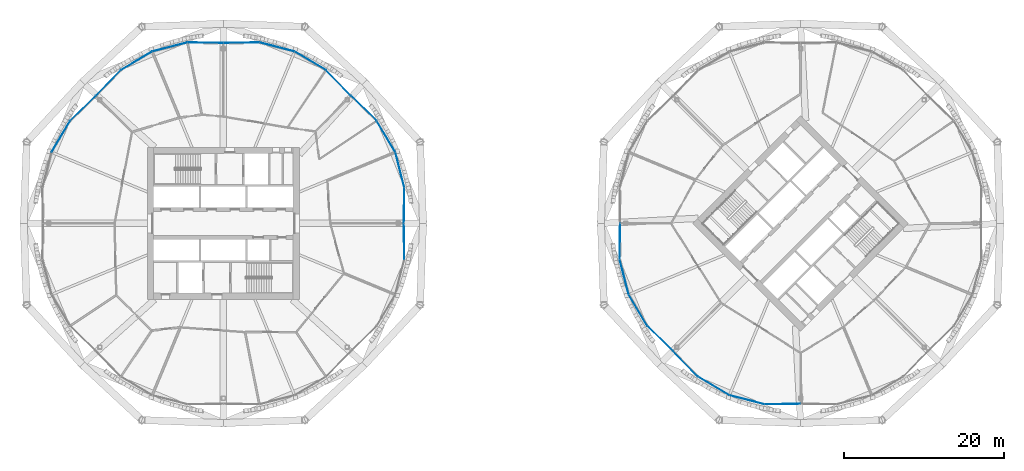
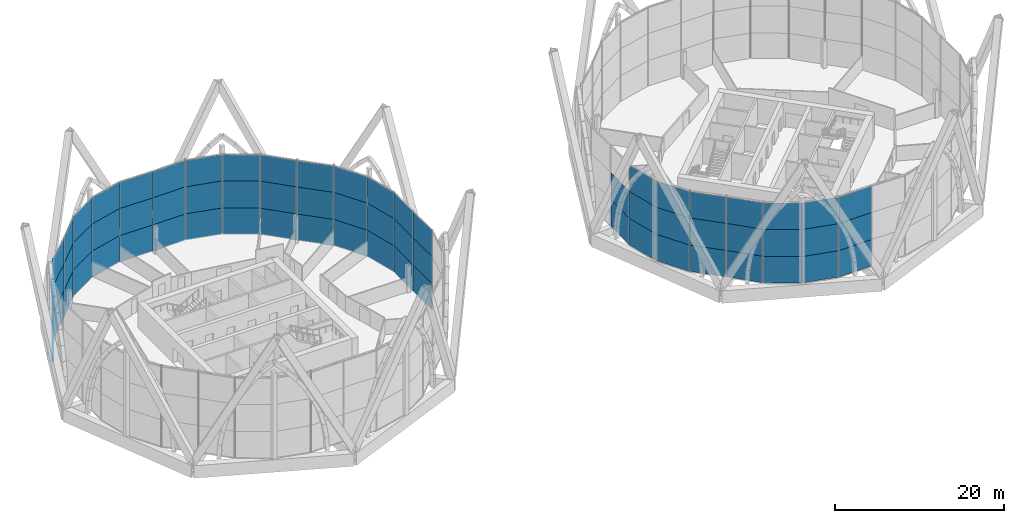
# One storey, part 25 of 37: 68 plates, 7 elements without a shape of their own.
"""IFC4 building model written with IfcOpenShell, lengths in metres."""

from ifc_helpers import new_model, si_unit, direction, frame, origin, origin_2d, place, context, subcontext, project, spatial, rectangle, extrude, material, layer, layer_set, type_object, element, aggregate, save


model = new_model("IFC4")

# Units and contexts
model_context = context("Model", 3, precision=1e-05, world=origin(), true_north=direction((0.0, 1.0)))
body_context = subcontext(model_context, "Body", "Model", "MODEL_VIEW")
ifc_project = project(units=[si_unit("LENGTHUNIT", "METRE"), si_unit("AREAUNIT", "SQUARE_METRE"), si_unit("VOLUMEUNIT", "CUBIC_METRE"), si_unit("PLANEANGLEUNIT", "RADIAN"), si_unit("MASSUNIT", "GRAM", prefix="KILO")], contexts=[model_context])

# Site, building, storey
site_placement = place(None, origin())
site = spatial("IfcSite", under=ifc_project, at=site_placement, CompositionType="ELEMENT")
building_placement = place(site_placement, origin())
building = spatial("IfcBuilding", under=site, at=building_placement, Name="Ogive Gate Towers", CompositionType="ELEMENT")
storey_placement = place(building_placement, frame((0.0, 0.0, 32.39990234375)))
storey = spatial("IfcBuildingStorey", under=building, at=storey_placement, Name="L06", CompositionType="ELEMENT", Elevation=32.39990234375)

# Curtain wall, plates
ifc_material_1 = material(Name="Pale metal aluminium", Category="aluminium")
curtain_wall_type = type_object("IfcCurtainWallType", Name="Tower unitised wall, low zone", PredefinedType="NOTDEFINED", material=ifc_material_1)
curtain_wall_1_placement = place(storey_placement, origin())
curtain_wall_1 = element("IfcCurtainWall", 1, at=curtain_wall_1_placement, inside=storey, type_object=curtain_wall_type, Name="CW1 T1 ECW01", PredefinedType="NOTDEFINED")
ifc_material_2 = material(Name="Clear glass", Category="glass")
ifc_layer = layer(ifc_material_2, 0.028076171875)
ifc_layer_set = layer_set([ifc_layer], Name="Tower unitised wall, low zone glass panel")
plate_type = type_object("IfcPlateType", Name="Tower unitised wall, low zone glass panel", PredefinedType="CURTAIN_PANEL", material=ifc_layer_set)
plate_1_placement = place(storey_placement, frame((-13.4599609375, 2.23876953125, -0.2041015625), z_axis=(0.0, 0.0, 1.0), x_axis=(0.013386275544, 0.999910399799, 0.0)))
plate_1 = element("IfcPlate", 2, at=plate_1_placement, type_object=plate_type, Name="CW1 glass panel", PredefinedType="CURTAIN_PANEL", context=body_context, shape_type="SweptSolid", body=[
    extrude(rectangle(XDim=4.423828125, YDim=0.028076171875, at=origin_2d()), origin(), (0.0, 0.0, 1.0), 3.803955078125),
])
plate_2_placement = place(storey_placement, frame((-13.4599609375, 2.23876953125, 3.60009765625), z_axis=(0.0, 0.0, 1.0), x_axis=(0.013386275544, 0.999910399799, 0.0)))
plate_2 = element("IfcPlate", 3, at=plate_2_placement, type_object=plate_type, Name="CW1 glass panel", PredefinedType="CURTAIN_PANEL", context=body_context, shape_type="SweptSolid", body=[
    extrude(rectangle(XDim=4.423828125, YDim=0.028076171875, at=origin_2d()), origin(), (0.0, 0.0, 1.0), 3.89990234375),
])
plate_3_placement = place(storey_placement, frame((-13.4599609375, 2.23876953125, 7.5), z_axis=(0.0, 0.0, 1.0), x_axis=(0.013386275544, 0.999910399799, 0.0)))
plate_3 = element("IfcPlate", 4, at=plate_3_placement, type_object=plate_type, Name="CW1 glass panel", PredefinedType="CURTAIN_PANEL", context=body_context, shape_type="SweptSolid", body=[
    extrude(rectangle(XDim=4.423828125, YDim=0.028076171875, at=origin_2d()), origin(), (0.0, 0.0, 1.0), 3.803955078125),
])
plate_4_placement = place(storey_placement, frame((-13.992919921875, 6.681884765625, -0.2041015625), z_axis=(0.0, 0.0, 1.0), x_axis=(-0.247827635532, 0.968804140715, 0.0)))
plate_4 = element("IfcPlate", 5, at=plate_4_placement, type_object=plate_type, Name="CW1 glass panel", PredefinedType="CURTAIN_PANEL", context=body_context, shape_type="SweptSolid", body=[
    extrude(rectangle(XDim=4.48095703125, YDim=0.028076171875, at=origin_2d()), origin(), (0.0, 0.0, 1.0), 3.803955078125),
])
plate_5_placement = place(storey_placement, frame((-13.992919921875, 6.681884765625, 3.60009765625), z_axis=(0.0, 0.0, 1.0), x_axis=(-0.247827635532, 0.968804140715, 0.0)))
plate_5 = element("IfcPlate", 6, at=plate_5_placement, type_object=plate_type, Name="CW1 glass panel", PredefinedType="CURTAIN_PANEL", context=body_context, shape_type="SweptSolid", body=[
    extrude(rectangle(XDim=4.48095703125, YDim=0.028076171875, at=origin_2d()), origin(), (0.0, 0.0, 1.0), 3.89990234375),
])
plate_6_placement = place(storey_placement, frame((-13.992919921875, 6.681884765625, 7.5), z_axis=(0.0, 0.0, 1.0), x_axis=(-0.247827635532, 0.968804140715, 0.0)))
plate_6 = element("IfcPlate", 7, at=plate_6_placement, type_object=plate_type, Name="CW1 glass panel", PredefinedType="CURTAIN_PANEL", context=body_context, shape_type="SweptSolid", body=[
    extrude(rectangle(XDim=4.48095703125, YDim=0.028076171875, at=origin_2d()), origin(), (0.0, 0.0, 1.0), 3.803955078125),
])
plate_7_placement = place(storey_placement, frame((-15.7138671875, 10.836669921875, -0.2041015625), z_axis=(0.0, 0.0, 1.0), x_axis=(-0.509822390682, 0.860279681243, 0.0)))
plate_7 = element("IfcPlate", 8, at=plate_7_placement, type_object=plate_type, Name="CW1 glass panel", PredefinedType="CURTAIN_PANEL", context=body_context, shape_type="SweptSolid", body=[
    extrude(rectangle(XDim=4.48095703125, YDim=0.028076171875, at=origin_2d()), origin(), (0.0, 0.0, 1.0), 3.803955078125),
])
plate_8_placement = place(storey_placement, frame((-15.7138671875, 10.836669921875, 3.60009765625), z_axis=(0.0, 0.0, 1.0), x_axis=(-0.509822390682, 0.860279681243, 0.0)))
plate_8 = element("IfcPlate", 9, at=plate_8_placement, type_object=plate_type, Name="CW1 glass panel", PredefinedType="CURTAIN_PANEL", context=body_context, shape_type="SweptSolid", body=[
    extrude(rectangle(XDim=4.48095703125, YDim=0.028076171875, at=origin_2d()), origin(), (0.0, 0.0, 1.0), 3.89990234375),
])
plate_9_placement = place(storey_placement, frame((-15.7138671875, 10.836669921875, 7.5), z_axis=(0.0, 0.0, 1.0), x_axis=(-0.509822390682, 0.860279681243, 0.0)))
plate_9 = element("IfcPlate", 10, at=plate_9_placement, type_object=plate_type, Name="CW1 glass panel", PredefinedType="CURTAIN_PANEL", context=body_context, shape_type="SweptSolid", body=[
    extrude(rectangle(XDim=4.48095703125, YDim=0.028076171875, at=origin_2d()), origin(), (0.0, 0.0, 1.0), 3.803955078125),
])
plate_10_placement = place(storey_placement, frame((-18.478759765625, 14.35498046875, -0.2041015625), z_axis=(0.0, 0.0, 1.0), x_axis=(-0.716496775349, 0.697590403399, 0.0)))
plate_10 = element("IfcPlate", 11, at=plate_10_placement, type_object=plate_type, Name="CW1 glass panel", PredefinedType="CURTAIN_PANEL", context=body_context, shape_type="SweptSolid", body=[
    extrude(rectangle(XDim=4.424072265625, YDim=0.028076171875, at=origin_2d()), origin(), (0.0, 0.0, 1.0), 3.803955078125),
])
plate_11_placement = place(storey_placement, frame((-18.478759765625, 14.35498046875, 3.60009765625), z_axis=(0.0, 0.0, 1.0), x_axis=(-0.716496775349, 0.697590403399, 0.0)))
plate_11 = element("IfcPlate", 12, at=plate_11_placement, type_object=plate_type, Name="CW1 glass panel", PredefinedType="CURTAIN_PANEL", context=body_context, shape_type="SweptSolid", body=[
    extrude(rectangle(XDim=4.424072265625, YDim=0.028076171875, at=origin_2d()), origin(), (0.0, 0.0, 1.0), 3.89990234375),
])
plate_12_placement = place(storey_placement, frame((-18.478759765625, 14.35498046875, 7.5), z_axis=(0.0, 0.0, 1.0), x_axis=(-0.716496775349, 0.697590403399, 0.0)))
plate_12 = element("IfcPlate", 13, at=plate_12_placement, type_object=plate_type, Name="CW1 glass panel", PredefinedType="CURTAIN_PANEL", context=body_context, shape_type="SweptSolid", body=[
    extrude(rectangle(XDim=4.424072265625, YDim=0.028076171875, at=origin_2d()), origin(), (0.0, 0.0, 1.0), 3.803955078125),
])
aggregate(curtain_wall_1, [plate_1, plate_2, plate_3, plate_4, plate_5, plate_6, plate_7, plate_8, plate_9, plate_10, plate_11, plate_12])

curtain_wall_2_placement = place(storey_placement, origin())
curtain_wall_2 = element("IfcCurtainWall", 14, at=curtain_wall_2_placement, inside=storey, type_object=curtain_wall_type, Name="CW1 T1 ECW02", PredefinedType="NOTDEFINED")
plate_13_placement = place(storey_placement, frame((-21.64501953125, 17.521240234375, -0.2041015625), z_axis=(0.0, 0.0, 1.0), x_axis=(-0.697590403399, 0.716496775349, 0.0)))
plate_13 = element("IfcPlate", 15, at=plate_13_placement, type_object=plate_type, Name="CW1 glass panel", PredefinedType="CURTAIN_PANEL", context=body_context, shape_type="SweptSolid", body=[
    extrude(rectangle(XDim=4.424072265625, YDim=0.028076171875, at=origin_2d()), origin(), (0.0, 0.0, 1.0), 3.803955078125),
])
plate_14_placement = place(storey_placement, frame((-21.64501953125, 17.521240234375, 3.60009765625), z_axis=(0.0, 0.0, 1.0), x_axis=(-0.697590403399, 0.716496775349, 0.0)))
plate_14 = element("IfcPlate", 16, at=plate_14_placement, type_object=plate_type, Name="CW1 glass panel", PredefinedType="CURTAIN_PANEL", context=body_context, shape_type="SweptSolid", body=[
    extrude(rectangle(XDim=4.424072265625, YDim=0.028076171875, at=origin_2d()), origin(), (0.0, 0.0, 1.0), 3.89990234375),
])
plate_15_placement = place(storey_placement, frame((-21.64501953125, 17.521240234375, 7.5), z_axis=(0.0, 0.0, 1.0), x_axis=(-0.697590403399, 0.716496775349, 0.0)))
plate_15 = element("IfcPlate", 17, at=plate_15_placement, type_object=plate_type, Name="CW1 glass panel", PredefinedType="CURTAIN_PANEL", context=body_context, shape_type="SweptSolid", body=[
    extrude(rectangle(XDim=4.424072265625, YDim=0.028076171875, at=origin_2d()), origin(), (0.0, 0.0, 1.0), 3.803955078125),
])
plate_16_placement = place(storey_placement, frame((-25.163330078125, 20.2861328125, -0.2041015625), z_axis=(0.0, 0.0, 1.0), x_axis=(-0.860279681243, 0.509822390682, 0.0)))
plate_16 = element("IfcPlate", 18, at=plate_16_placement, type_object=plate_type, Name="CW1 glass panel", PredefinedType="CURTAIN_PANEL", context=body_context, shape_type="SweptSolid", body=[
    extrude(rectangle(XDim=4.48095703125, YDim=0.028076171875, at=origin_2d()), origin(), (0.0, 0.0, 1.0), 3.803955078125),
])
plate_17_placement = place(storey_placement, frame((-25.163330078125, 20.2861328125, 3.60009765625), z_axis=(0.0, 0.0, 1.0), x_axis=(-0.860279681243, 0.509822390682, 0.0)))
plate_17 = element("IfcPlate", 19, at=plate_17_placement, type_object=plate_type, Name="CW1 glass panel", PredefinedType="CURTAIN_PANEL", context=body_context, shape_type="SweptSolid", body=[
    extrude(rectangle(XDim=4.48095703125, YDim=0.028076171875, at=origin_2d()), origin(), (0.0, 0.0, 1.0), 3.89990234375),
])
plate_18_placement = place(storey_placement, frame((-25.163330078125, 20.2861328125, 7.5), z_axis=(0.0, 0.0, 1.0), x_axis=(-0.860279681243, 0.509822390682, 0.0)))
plate_18 = element("IfcPlate", 20, at=plate_18_placement, type_object=plate_type, Name="CW1 glass panel", PredefinedType="CURTAIN_PANEL", context=body_context, shape_type="SweptSolid", body=[
    extrude(rectangle(XDim=4.48095703125, YDim=0.028076171875, at=origin_2d()), origin(), (0.0, 0.0, 1.0), 3.803955078125),
])
plate_19_placement = place(storey_placement, frame((-29.318115234375, 22.007080078125, -0.2041015625), z_axis=(0.0, 0.0, 1.0), x_axis=(-0.968804140715, 0.247827635532, 0.0)))
plate_19 = element("IfcPlate", 21, at=plate_19_placement, type_object=plate_type, Name="CW1 glass panel", PredefinedType="CURTAIN_PANEL", context=body_context, shape_type="SweptSolid", body=[
    extrude(rectangle(XDim=4.48095703125, YDim=0.028076171875, at=origin_2d()), origin(), (0.0, 0.0, 1.0), 3.803955078125),
])
plate_20_placement = place(storey_placement, frame((-29.318115234375, 22.007080078125, 3.60009765625), z_axis=(0.0, 0.0, 1.0), x_axis=(-0.968804140715, 0.247827635532, 0.0)))
plate_20 = element("IfcPlate", 22, at=plate_20_placement, type_object=plate_type, Name="CW1 glass panel", PredefinedType="CURTAIN_PANEL", context=body_context, shape_type="SweptSolid", body=[
    extrude(rectangle(XDim=4.48095703125, YDim=0.028076171875, at=origin_2d()), origin(), (0.0, 0.0, 1.0), 3.89990234375),
])
plate_21_placement = place(storey_placement, frame((-29.318115234375, 22.007080078125, 7.5), z_axis=(0.0, 0.0, 1.0), x_axis=(-0.968804140715, 0.247827635532, 0.0)))
plate_21 = element("IfcPlate", 23, at=plate_21_placement, type_object=plate_type, Name="CW1 glass panel", PredefinedType="CURTAIN_PANEL", context=body_context, shape_type="SweptSolid", body=[
    extrude(rectangle(XDim=4.48095703125, YDim=0.028076171875, at=origin_2d()), origin(), (0.0, 0.0, 1.0), 3.803955078125),
])
plate_22_placement = place(storey_placement, frame((-33.76123046875, 22.5400390625, -0.2041015625), z_axis=(0.0, 0.0, 1.0), x_axis=(-0.999910399799, -0.013386275544, 0.0)))
plate_22 = element("IfcPlate", 24, at=plate_22_placement, type_object=plate_type, Name="CW1 glass panel", PredefinedType="CURTAIN_PANEL", context=body_context, shape_type="SweptSolid", body=[
    extrude(rectangle(XDim=4.423828125, YDim=0.028076171875, at=origin_2d()), origin(), (0.0, 0.0, 1.0), 3.803955078125),
])
plate_23_placement = place(storey_placement, frame((-33.76123046875, 22.5400390625, 3.60009765625), z_axis=(0.0, 0.0, 1.0), x_axis=(-0.999910399799, -0.013386275544, 0.0)))
plate_23 = element("IfcPlate", 25, at=plate_23_placement, type_object=plate_type, Name="CW1 glass panel", PredefinedType="CURTAIN_PANEL", context=body_context, shape_type="SweptSolid", body=[
    extrude(rectangle(XDim=4.423828125, YDim=0.028076171875, at=origin_2d()), origin(), (0.0, 0.0, 1.0), 3.89990234375),
])
plate_24_placement = place(storey_placement, frame((-33.76123046875, 22.5400390625, 7.5), z_axis=(0.0, 0.0, 1.0), x_axis=(-0.999910399799, -0.013386275544, 0.0)))
plate_24 = element("IfcPlate", 26, at=plate_24_placement, type_object=plate_type, Name="CW1 glass panel", PredefinedType="CURTAIN_PANEL", context=body_context, shape_type="SweptSolid", body=[
    extrude(rectangle(XDim=4.423828125, YDim=0.028076171875, at=origin_2d()), origin(), (0.0, 0.0, 1.0), 3.803955078125),
])
aggregate(curtain_wall_2, [plate_13, plate_14, plate_15, plate_16, plate_17, plate_18, plate_19, plate_20, plate_21, plate_22, plate_23, plate_24])

curtain_wall_3_placement = place(storey_placement, origin())
curtain_wall_3 = element("IfcCurtainWall", 27, at=curtain_wall_3_placement, inside=storey, type_object=curtain_wall_type, Name="CW1 T1 ECW03", PredefinedType="NOTDEFINED")
plate_25_placement = place(storey_placement, frame((-38.23876953125, 22.5400390625, -0.2041015625), z_axis=(0.0, 0.0, 1.0), x_axis=(-0.999910399799, 0.013386275544, 0.0)))
plate_25 = element("IfcPlate", 28, at=plate_25_placement, type_object=plate_type, Name="CW1 glass panel", PredefinedType="CURTAIN_PANEL", context=body_context, shape_type="SweptSolid", body=[
    extrude(rectangle(XDim=4.423828125, YDim=0.028076171875, at=origin_2d()), origin(), (0.0, 0.0, 1.0), 3.803955078125),
])
plate_26_placement = place(storey_placement, frame((-38.23876953125, 22.5400390625, 3.60009765625), z_axis=(0.0, 0.0, 1.0), x_axis=(-0.999910399799, 0.013386275544, 0.0)))
plate_26 = element("IfcPlate", 29, at=plate_26_placement, type_object=plate_type, Name="CW1 glass panel", PredefinedType="CURTAIN_PANEL", context=body_context, shape_type="SweptSolid", body=[
    extrude(rectangle(XDim=4.423828125, YDim=0.028076171875, at=origin_2d()), origin(), (0.0, 0.0, 1.0), 3.89990234375),
])
plate_27_placement = place(storey_placement, frame((-38.23876953125, 22.5400390625, 7.5), z_axis=(0.0, 0.0, 1.0), x_axis=(-0.999910399799, 0.013386275544, 0.0)))
plate_27 = element("IfcPlate", 30, at=plate_27_placement, type_object=plate_type, Name="CW1 glass panel", PredefinedType="CURTAIN_PANEL", context=body_context, shape_type="SweptSolid", body=[
    extrude(rectangle(XDim=4.423828125, YDim=0.028076171875, at=origin_2d()), origin(), (0.0, 0.0, 1.0), 3.803955078125),
])
plate_28_placement = place(storey_placement, frame((-42.681884765625, 22.007080078125, -0.2041015625), z_axis=(0.0, 0.0, 1.0), x_axis=(-0.968804140715, -0.247827635532, 0.0)))
plate_28 = element("IfcPlate", 31, at=plate_28_placement, type_object=plate_type, Name="CW1 glass panel", PredefinedType="CURTAIN_PANEL", context=body_context, shape_type="SweptSolid", body=[
    extrude(rectangle(XDim=4.48095703125, YDim=0.028076171875, at=origin_2d()), origin(), (0.0, 0.0, 1.0), 3.803955078125),
])
plate_29_placement = place(storey_placement, frame((-42.681884765625, 22.007080078125, 3.60009765625), z_axis=(0.0, 0.0, 1.0), x_axis=(-0.968804140715, -0.247827635532, 0.0)))
plate_29 = element("IfcPlate", 32, at=plate_29_placement, type_object=plate_type, Name="CW1 glass panel", PredefinedType="CURTAIN_PANEL", context=body_context, shape_type="SweptSolid", body=[
    extrude(rectangle(XDim=4.48095703125, YDim=0.028076171875, at=origin_2d()), origin(), (0.0, 0.0, 1.0), 3.89990234375),
])
plate_30_placement = place(storey_placement, frame((-42.681884765625, 22.007080078125, 7.5), z_axis=(0.0, 0.0, 1.0), x_axis=(-0.968804140715, -0.247827635532, 0.0)))
plate_30 = element("IfcPlate", 33, at=plate_30_placement, type_object=plate_type, Name="CW1 glass panel", PredefinedType="CURTAIN_PANEL", context=body_context, shape_type="SweptSolid", body=[
    extrude(rectangle(XDim=4.48095703125, YDim=0.028076171875, at=origin_2d()), origin(), (0.0, 0.0, 1.0), 3.803955078125),
])
plate_31_placement = place(storey_placement, frame((-46.836669921875, 20.2861328125, -0.2041015625), z_axis=(0.0, 0.0, 1.0), x_axis=(-0.860279681243, -0.509822390682, 0.0)))
plate_31 = element("IfcPlate", 34, at=plate_31_placement, type_object=plate_type, Name="CW1 glass panel", PredefinedType="CURTAIN_PANEL", context=body_context, shape_type="SweptSolid", body=[
    extrude(rectangle(XDim=4.48095703125, YDim=0.028076171875, at=origin_2d()), origin(), (0.0, 0.0, 1.0), 3.803955078125),
])
plate_32_placement = place(storey_placement, frame((-46.836669921875, 20.2861328125, 3.60009765625), z_axis=(0.0, 0.0, 1.0), x_axis=(-0.860279681243, -0.509822390682, 0.0)))
plate_32 = element("IfcPlate", 35, at=plate_32_placement, type_object=plate_type, Name="CW1 glass panel", PredefinedType="CURTAIN_PANEL", context=body_context, shape_type="SweptSolid", body=[
    extrude(rectangle(XDim=4.48095703125, YDim=0.028076171875, at=origin_2d()), origin(), (0.0, 0.0, 1.0), 3.89990234375),
])
plate_33_placement = place(storey_placement, frame((-46.836669921875, 20.2861328125, 7.5), z_axis=(0.0, 0.0, 1.0), x_axis=(-0.860279681243, -0.509822390682, 0.0)))
plate_33 = element("IfcPlate", 36, at=plate_33_placement, type_object=plate_type, Name="CW1 glass panel", PredefinedType="CURTAIN_PANEL", context=body_context, shape_type="SweptSolid", body=[
    extrude(rectangle(XDim=4.48095703125, YDim=0.028076171875, at=origin_2d()), origin(), (0.0, 0.0, 1.0), 3.803955078125),
])
plate_34_placement = place(storey_placement, frame((-50.35498046875, 17.521240234375, -0.2041015625), z_axis=(0.0, 0.0, 1.0), x_axis=(-0.697590403399, -0.716496775349, 0.0)))
plate_34 = element("IfcPlate", 37, at=plate_34_placement, type_object=plate_type, Name="CW1 glass panel", PredefinedType="CURTAIN_PANEL", context=body_context, shape_type="SweptSolid", body=[
    extrude(rectangle(XDim=4.424072265625, YDim=0.028076171875, at=origin_2d()), origin(), (0.0, 0.0, 1.0), 3.803955078125),
])
plate_35_placement = place(storey_placement, frame((-50.35498046875, 17.521240234375, 3.60009765625), z_axis=(0.0, 0.0, 1.0), x_axis=(-0.697590403399, -0.716496775349, 0.0)))
plate_35 = element("IfcPlate", 38, at=plate_35_placement, type_object=plate_type, Name="CW1 glass panel", PredefinedType="CURTAIN_PANEL", context=body_context, shape_type="SweptSolid", body=[
    extrude(rectangle(XDim=4.424072265625, YDim=0.028076171875, at=origin_2d()), origin(), (0.0, 0.0, 1.0), 3.89990234375),
])
plate_36_placement = place(storey_placement, frame((-50.35498046875, 17.521240234375, 7.5), z_axis=(0.0, 0.0, 1.0), x_axis=(-0.697590403399, -0.716496775349, 0.0)))
plate_36 = element("IfcPlate", 39, at=plate_36_placement, type_object=plate_type, Name="CW1 glass panel", PredefinedType="CURTAIN_PANEL", context=body_context, shape_type="SweptSolid", body=[
    extrude(rectangle(XDim=4.424072265625, YDim=0.028076171875, at=origin_2d()), origin(), (0.0, 0.0, 1.0), 3.803955078125),
])
aggregate(curtain_wall_3, [plate_25, plate_26, plate_27, plate_28, plate_29, plate_30, plate_31, plate_32, plate_33, plate_34, plate_35, plate_36])

curtain_wall_4_placement = place(storey_placement, origin())
curtain_wall_4 = element("IfcCurtainWall", 40, at=curtain_wall_4_placement, inside=storey, type_object=curtain_wall_type, Name="CW1 T1 ECW04", PredefinedType="NOTDEFINED")
plate_37_placement = place(storey_placement, frame((-53.521240234375, 14.35498046875, -0.2041015625), z_axis=(0.0, 0.0, 1.0), x_axis=(-0.716496775349, -0.697590403399, 0.0)))
plate_37 = element("IfcPlate", 41, at=plate_37_placement, type_object=plate_type, Name="CW1 glass panel", PredefinedType="CURTAIN_PANEL", context=body_context, shape_type="SweptSolid", body=[
    extrude(rectangle(XDim=4.424072265625, YDim=0.028076171875, at=origin_2d()), origin(), (0.0, 0.0, 1.0), 3.803955078125),
])
plate_38_placement = place(storey_placement, frame((-53.521240234375, 14.35498046875, 3.60009765625), z_axis=(0.0, 0.0, 1.0), x_axis=(-0.716496775349, -0.697590403399, 0.0)))
plate_38 = element("IfcPlate", 42, at=plate_38_placement, type_object=plate_type, Name="CW1 glass panel", PredefinedType="CURTAIN_PANEL", context=body_context, shape_type="SweptSolid", body=[
    extrude(rectangle(XDim=4.424072265625, YDim=0.028076171875, at=origin_2d()), origin(), (0.0, 0.0, 1.0), 3.89990234375),
])
plate_39_placement = place(storey_placement, frame((-53.521240234375, 14.35498046875, 7.5), z_axis=(0.0, 0.0, 1.0), x_axis=(-0.716496775349, -0.697590403399, 0.0)))
plate_39 = element("IfcPlate", 43, at=plate_39_placement, type_object=plate_type, Name="CW1 glass panel", PredefinedType="CURTAIN_PANEL", context=body_context, shape_type="SweptSolid", body=[
    extrude(rectangle(XDim=4.424072265625, YDim=0.028076171875, at=origin_2d()), origin(), (0.0, 0.0, 1.0), 3.803955078125),
])
plate_40_placement = place(storey_placement, frame((-56.2861328125, 10.836669921875, -0.2041015625), z_axis=(0.0, 0.0, 1.0), x_axis=(-0.509822390682, -0.860279681243, 0.0)))
plate_40 = element("IfcPlate", 44, at=plate_40_placement, type_object=plate_type, Name="CW1 glass panel", PredefinedType="CURTAIN_PANEL", context=body_context, shape_type="SweptSolid", body=[
    extrude(rectangle(XDim=4.48095703125, YDim=0.028076171875, at=origin_2d()), origin(), (0.0, 0.0, 1.0), 3.803955078125),
])
plate_41_placement = place(storey_placement, frame((-56.2861328125, 10.836669921875, 3.60009765625), z_axis=(0.0, 0.0, 1.0), x_axis=(-0.509822390682, -0.860279681243, 0.0)))
plate_41 = element("IfcPlate", 45, at=plate_41_placement, type_object=plate_type, Name="CW1 glass panel", PredefinedType="CURTAIN_PANEL", context=body_context, shape_type="SweptSolid", body=[
    extrude(rectangle(XDim=4.48095703125, YDim=0.028076171875, at=origin_2d()), origin(), (0.0, 0.0, 1.0), 3.89990234375),
])
plate_42_placement = place(storey_placement, frame((-56.2861328125, 10.836669921875, 7.5), z_axis=(0.0, 0.0, 1.0), x_axis=(-0.509822390682, -0.860279681243, 0.0)))
plate_42 = element("IfcPlate", 46, at=plate_42_placement, type_object=plate_type, Name="CW1 glass panel", PredefinedType="CURTAIN_PANEL", context=body_context, shape_type="SweptSolid", body=[
    extrude(rectangle(XDim=4.48095703125, YDim=0.028076171875, at=origin_2d()), origin(), (0.0, 0.0, 1.0), 3.803955078125),
])
aggregate(curtain_wall_4, [plate_37, plate_38, plate_39, plate_40, plate_41, plate_42])

curtain_wall_5_placement = place(storey_placement, origin())
curtain_wall_5 = element("IfcCurtainWall", 47, at=curtain_wall_5_placement, inside=storey, type_object=curtain_wall_type, Name="CW1 T1 ECW08", PredefinedType="NOTDEFINED")
plate_43_placement = place(storey_placement, frame((-13.4599609375, -2.23876953125, -0.2041015625), z_axis=(0.0, 0.0, 1.0), x_axis=(-0.013386275544, 0.999910399799, 0.0)))
plate_43 = element("IfcPlate", 48, at=plate_43_placement, type_object=plate_type, Name="CW1 glass panel", PredefinedType="CURTAIN_PANEL", context=body_context, shape_type="SweptSolid", body=[
    extrude(rectangle(XDim=4.423828125, YDim=0.028076171875, at=origin_2d()), origin(), (0.0, 0.0, 1.0), 3.803955078125),
])
plate_44_placement = place(storey_placement, frame((-13.4599609375, -2.23876953125, 3.60009765625), z_axis=(0.0, 0.0, 1.0), x_axis=(-0.013386275544, 0.999910399799, 0.0)))
plate_44 = element("IfcPlate", 49, at=plate_44_placement, type_object=plate_type, Name="CW1 glass panel", PredefinedType="CURTAIN_PANEL", context=body_context, shape_type="SweptSolid", body=[
    extrude(rectangle(XDim=4.423828125, YDim=0.028076171875, at=origin_2d()), origin(), (0.0, 0.0, 1.0), 3.89990234375),
])
plate_45_placement = place(storey_placement, frame((-13.4599609375, -2.23876953125, 7.5), z_axis=(0.0, 0.0, 1.0), x_axis=(-0.013386275544, 0.999910399799, 0.0)))
plate_45 = element("IfcPlate", 50, at=plate_45_placement, type_object=plate_type, Name="CW1 glass panel", PredefinedType="CURTAIN_PANEL", context=body_context, shape_type="SweptSolid", body=[
    extrude(rectangle(XDim=4.423828125, YDim=0.028076171875, at=origin_2d()), origin(), (0.0, 0.0, 1.0), 3.803955078125),
])
aggregate(curtain_wall_5, [plate_43, plate_44, plate_45])

curtain_wall_6_placement = place(storey_placement, origin())
curtain_wall_6 = element("IfcCurtainWall", 51, at=curtain_wall_6_placement, inside=storey, type_object=curtain_wall_type, Name="CW1 T2 ECW05", PredefinedType="NOTDEFINED")
plate_46_placement = place(storey_placement, frame((13.4599609375, -2.23876953125, -0.2041015625), z_axis=(0.0, 0.0, 1.0), x_axis=(-0.013386275544, -0.999910399799, 0.0)))
plate_46 = element("IfcPlate", 52, at=plate_46_placement, type_object=plate_type, Name="CW1 glass panel", PredefinedType="CURTAIN_PANEL", context=body_context, shape_type="SweptSolid", body=[
    extrude(rectangle(XDim=4.423828125, YDim=0.028076171875, at=origin_2d()), origin(), (0.0, 0.0, 1.0), 3.803955078125),
])
plate_47_placement = place(storey_placement, frame((13.4599609375, -2.23876953125, 3.60009765625), z_axis=(0.0, 0.0, 1.0), x_axis=(-0.013386275544, -0.999910399799, 0.0)))
plate_47 = element("IfcPlate", 53, at=plate_47_placement, type_object=plate_type, Name="CW1 glass panel", PredefinedType="CURTAIN_PANEL", context=body_context, shape_type="SweptSolid", body=[
    extrude(rectangle(XDim=4.423828125, YDim=0.028076171875, at=origin_2d()), origin(), (0.0, 0.0, 1.0), 3.89990234375),
])
plate_48_placement = place(storey_placement, frame((13.992919921875, -6.681884765625, -0.2041015625), z_axis=(0.0, 0.0, 1.0), x_axis=(0.247827635532, -0.968804140715, 0.0)))
plate_48 = element("IfcPlate", 54, at=plate_48_placement, type_object=plate_type, Name="CW1 glass panel", PredefinedType="CURTAIN_PANEL", context=body_context, shape_type="SweptSolid", body=[
    extrude(rectangle(XDim=4.48095703125, YDim=0.028076171875, at=origin_2d()), origin(), (0.0, 0.0, 1.0), 3.803955078125),
])
plate_49_placement = place(storey_placement, frame((13.992919921875, -6.681884765625, 3.60009765625), z_axis=(0.0, 0.0, 1.0), x_axis=(0.247827635532, -0.968804140715, 0.0)))
plate_49 = element("IfcPlate", 55, at=plate_49_placement, type_object=plate_type, Name="CW1 glass panel", PredefinedType="CURTAIN_PANEL", context=body_context, shape_type="SweptSolid", body=[
    extrude(rectangle(XDim=4.48095703125, YDim=0.028076171875, at=origin_2d()), origin(), (0.0, 0.0, 1.0), 3.89990234375),
])
plate_50_placement = place(storey_placement, frame((13.992919921875, -6.681884765625, 7.5), z_axis=(0.0, 0.0, 1.0), x_axis=(0.247827635532, -0.968804140715, 0.0)))
plate_50 = element("IfcPlate", 56, at=plate_50_placement, type_object=plate_type, Name="CW1 glass panel", PredefinedType="CURTAIN_PANEL", context=body_context, shape_type="SweptSolid", body=[
    extrude(rectangle(XDim=4.48095703125, YDim=0.028076171875, at=origin_2d()), origin(), (0.0, 0.0, 1.0), 3.803955078125),
])
plate_51_placement = place(storey_placement, frame((15.7138671875, -10.836669921875, -0.2041015625), z_axis=(0.0, 0.0, 1.0), x_axis=(0.509822390682, -0.860279681243, 0.0)))
plate_51 = element("IfcPlate", 57, at=plate_51_placement, type_object=plate_type, Name="CW1 glass panel", PredefinedType="CURTAIN_PANEL", context=body_context, shape_type="SweptSolid", body=[
    extrude(rectangle(XDim=4.48095703125, YDim=0.028076171875, at=origin_2d()), origin(), (0.0, 0.0, 1.0), 3.803955078125),
])
plate_52_placement = place(storey_placement, frame((15.7138671875, -10.836669921875, 3.60009765625), z_axis=(0.0, 0.0, 1.0), x_axis=(0.509822390682, -0.860279681243, 0.0)))
plate_52 = element("IfcPlate", 58, at=plate_52_placement, type_object=plate_type, Name="CW1 glass panel", PredefinedType="CURTAIN_PANEL", context=body_context, shape_type="SweptSolid", body=[
    extrude(rectangle(XDim=4.48095703125, YDim=0.028076171875, at=origin_2d()), origin(), (0.0, 0.0, 1.0), 3.89990234375),
])
plate_53_placement = place(storey_placement, frame((15.7138671875, -10.836669921875, 7.5), z_axis=(0.0, 0.0, 1.0), x_axis=(0.509822390682, -0.860279681243, 0.0)))
plate_53 = element("IfcPlate", 59, at=plate_53_placement, type_object=plate_type, Name="CW1 glass panel", PredefinedType="CURTAIN_PANEL", context=body_context, shape_type="SweptSolid", body=[
    extrude(rectangle(XDim=4.48095703125, YDim=0.028076171875, at=origin_2d()), origin(), (0.0, 0.0, 1.0), 3.803955078125),
])
plate_54_placement = place(storey_placement, frame((18.478759765625, -14.35498046875, -0.2041015625), z_axis=(0.0, 0.0, 1.0), x_axis=(0.716496775349, -0.697590403399, 0.0)))
plate_54 = element("IfcPlate", 60, at=plate_54_placement, type_object=plate_type, Name="CW1 glass panel", PredefinedType="CURTAIN_PANEL", context=body_context, shape_type="SweptSolid", body=[
    extrude(rectangle(XDim=4.424072265625, YDim=0.028076171875, at=origin_2d()), origin(), (0.0, 0.0, 1.0), 3.803955078125),
])
plate_55_placement = place(storey_placement, frame((18.478759765625, -14.35498046875, 3.60009765625), z_axis=(0.0, 0.0, 1.0), x_axis=(0.716496775349, -0.697590403399, 0.0)))
plate_55 = element("IfcPlate", 61, at=plate_55_placement, type_object=plate_type, Name="CW1 glass panel", PredefinedType="CURTAIN_PANEL", context=body_context, shape_type="SweptSolid", body=[
    extrude(rectangle(XDim=4.424072265625, YDim=0.028076171875, at=origin_2d()), origin(), (0.0, 0.0, 1.0), 3.89990234375),
])
plate_56_placement = place(storey_placement, frame((18.478759765625, -14.35498046875, 7.5), z_axis=(0.0, 0.0, 1.0), x_axis=(0.716496775349, -0.697590403399, 0.0)))
plate_56 = element("IfcPlate", 62, at=plate_56_placement, type_object=plate_type, Name="CW1 glass panel", PredefinedType="CURTAIN_PANEL", context=body_context, shape_type="SweptSolid", body=[
    extrude(rectangle(XDim=4.424072265625, YDim=0.028076171875, at=origin_2d()), origin(), (0.0, 0.0, 1.0), 3.803955078125),
])
aggregate(curtain_wall_6, [plate_46, plate_47, plate_48, plate_49, plate_50, plate_51, plate_52, plate_53, plate_54, plate_55, plate_56])

curtain_wall_7_placement = place(storey_placement, origin())
curtain_wall_7 = element("IfcCurtainWall", 63, at=curtain_wall_7_placement, inside=storey, type_object=curtain_wall_type, Name="CW1 T2 ECW06", PredefinedType="NOTDEFINED")
plate_57_placement = place(storey_placement, frame((21.64501953125, -17.521240234375, -0.2041015625), z_axis=(0.0, 0.0, 1.0), x_axis=(0.697590403399, -0.716496775349, 0.0)))
plate_57 = element("IfcPlate", 64, at=plate_57_placement, type_object=plate_type, Name="CW1 glass panel", PredefinedType="CURTAIN_PANEL", context=body_context, shape_type="SweptSolid", body=[
    extrude(rectangle(XDim=4.424072265625, YDim=0.028076171875, at=origin_2d()), origin(), (0.0, 0.0, 1.0), 3.803955078125),
])
plate_58_placement = place(storey_placement, frame((21.64501953125, -17.521240234375, 3.60009765625), z_axis=(0.0, 0.0, 1.0), x_axis=(0.697590403399, -0.716496775349, 0.0)))
plate_58 = element("IfcPlate", 65, at=plate_58_placement, type_object=plate_type, Name="CW1 glass panel", PredefinedType="CURTAIN_PANEL", context=body_context, shape_type="SweptSolid", body=[
    extrude(rectangle(XDim=4.424072265625, YDim=0.028076171875, at=origin_2d()), origin(), (0.0, 0.0, 1.0), 3.89990234375),
])
plate_59_placement = place(storey_placement, frame((21.64501953125, -17.521240234375, 7.5), z_axis=(0.0, 0.0, 1.0), x_axis=(0.697590403399, -0.716496775349, 0.0)))
plate_59 = element("IfcPlate", 66, at=plate_59_placement, type_object=plate_type, Name="CW1 glass panel", PredefinedType="CURTAIN_PANEL", context=body_context, shape_type="SweptSolid", body=[
    extrude(rectangle(XDim=4.424072265625, YDim=0.028076171875, at=origin_2d()), origin(), (0.0, 0.0, 1.0), 3.803955078125),
])
plate_60_placement = place(storey_placement, frame((25.163330078125, -20.2861328125, -0.2041015625), z_axis=(0.0, 0.0, 1.0), x_axis=(0.860279681243, -0.509822390682, 0.0)))
plate_60 = element("IfcPlate", 67, at=plate_60_placement, type_object=plate_type, Name="CW1 glass panel", PredefinedType="CURTAIN_PANEL", context=body_context, shape_type="SweptSolid", body=[
    extrude(rectangle(XDim=4.48095703125, YDim=0.028076171875, at=origin_2d()), origin(), (0.0, 0.0, 1.0), 3.803955078125),
])
plate_61_placement = place(storey_placement, frame((25.163330078125, -20.2861328125, 3.60009765625), z_axis=(0.0, 0.0, 1.0), x_axis=(0.860279681243, -0.509822390682, 0.0)))
plate_61 = element("IfcPlate", 68, at=plate_61_placement, type_object=plate_type, Name="CW1 glass panel", PredefinedType="CURTAIN_PANEL", context=body_context, shape_type="SweptSolid", body=[
    extrude(rectangle(XDim=4.48095703125, YDim=0.028076171875, at=origin_2d()), origin(), (0.0, 0.0, 1.0), 3.89990234375),
])
plate_62_placement = place(storey_placement, frame((25.163330078125, -20.2861328125, 7.5), z_axis=(0.0, 0.0, 1.0), x_axis=(0.860279681243, -0.509822390682, 0.0)))
plate_62 = element("IfcPlate", 69, at=plate_62_placement, type_object=plate_type, Name="CW1 glass panel", PredefinedType="CURTAIN_PANEL", context=body_context, shape_type="SweptSolid", body=[
    extrude(rectangle(XDim=4.48095703125, YDim=0.028076171875, at=origin_2d()), origin(), (0.0, 0.0, 1.0), 3.803955078125),
])
plate_63_placement = place(storey_placement, frame((29.318115234375, -22.007080078125, -0.2041015625), z_axis=(0.0, 0.0, 1.0), x_axis=(0.968804140715, -0.247827635532, 0.0)))
plate_63 = element("IfcPlate", 70, at=plate_63_placement, type_object=plate_type, Name="CW1 glass panel", PredefinedType="CURTAIN_PANEL", context=body_context, shape_type="SweptSolid", body=[
    extrude(rectangle(XDim=4.48095703125, YDim=0.028076171875, at=origin_2d()), origin(), (0.0, 0.0, 1.0), 3.803955078125),
])
plate_64_placement = place(storey_placement, frame((29.318115234375, -22.007080078125, 3.60009765625), z_axis=(0.0, 0.0, 1.0), x_axis=(0.968804140715, -0.247827635532, 0.0)))
plate_64 = element("IfcPlate", 71, at=plate_64_placement, type_object=plate_type, Name="CW1 glass panel", PredefinedType="CURTAIN_PANEL", context=body_context, shape_type="SweptSolid", body=[
    extrude(rectangle(XDim=4.48095703125, YDim=0.028076171875, at=origin_2d()), origin(), (0.0, 0.0, 1.0), 3.89990234375),
])
plate_65_placement = place(storey_placement, frame((29.318115234375, -22.007080078125, 7.5), z_axis=(0.0, 0.0, 1.0), x_axis=(0.968804140715, -0.247827635532, 0.0)))
plate_65 = element("IfcPlate", 72, at=plate_65_placement, type_object=plate_type, Name="CW1 glass panel", PredefinedType="CURTAIN_PANEL", context=body_context, shape_type="SweptSolid", body=[
    extrude(rectangle(XDim=4.48095703125, YDim=0.028076171875, at=origin_2d()), origin(), (0.0, 0.0, 1.0), 3.803955078125),
])
plate_66_placement = place(storey_placement, frame((33.76123046875, -22.5400390625, -0.2041015625), z_axis=(0.0, 0.0, 1.0), x_axis=(0.999910399799, 0.013386275544, 0.0)))
plate_66 = element("IfcPlate", 73, at=plate_66_placement, type_object=plate_type, Name="CW1 glass panel", PredefinedType="CURTAIN_PANEL", context=body_context, shape_type="SweptSolid", body=[
    extrude(rectangle(XDim=4.423828125, YDim=0.028076171875, at=origin_2d()), origin(), (0.0, 0.0, 1.0), 3.803955078125),
])
plate_67_placement = place(storey_placement, frame((33.76123046875, -22.5400390625, 3.60009765625), z_axis=(0.0, 0.0, 1.0), x_axis=(0.999910399799, 0.013386275544, 0.0)))
plate_67 = element("IfcPlate", 74, at=plate_67_placement, type_object=plate_type, Name="CW1 glass panel", PredefinedType="CURTAIN_PANEL", context=body_context, shape_type="SweptSolid", body=[
    extrude(rectangle(XDim=4.423828125, YDim=0.028076171875, at=origin_2d()), origin(), (0.0, 0.0, 1.0), 3.89990234375),
])
plate_68_placement = place(storey_placement, frame((33.76123046875, -22.5400390625, 7.5), z_axis=(0.0, 0.0, 1.0), x_axis=(0.999910399799, 0.013386275544, 0.0)))
plate_68 = element("IfcPlate", 75, at=plate_68_placement, type_object=plate_type, Name="CW1 glass panel", PredefinedType="CURTAIN_PANEL", context=body_context, shape_type="SweptSolid", body=[
    extrude(rectangle(XDim=4.423828125, YDim=0.028076171875, at=origin_2d()), origin(), (0.0, 0.0, 1.0), 3.803955078125),
])
aggregate(curtain_wall_7, [plate_57, plate_58, plate_59, plate_60, plate_61, plate_62, plate_63, plate_64, plate_65, plate_66, plate_67, plate_68])

save(model, "model.ifc")
